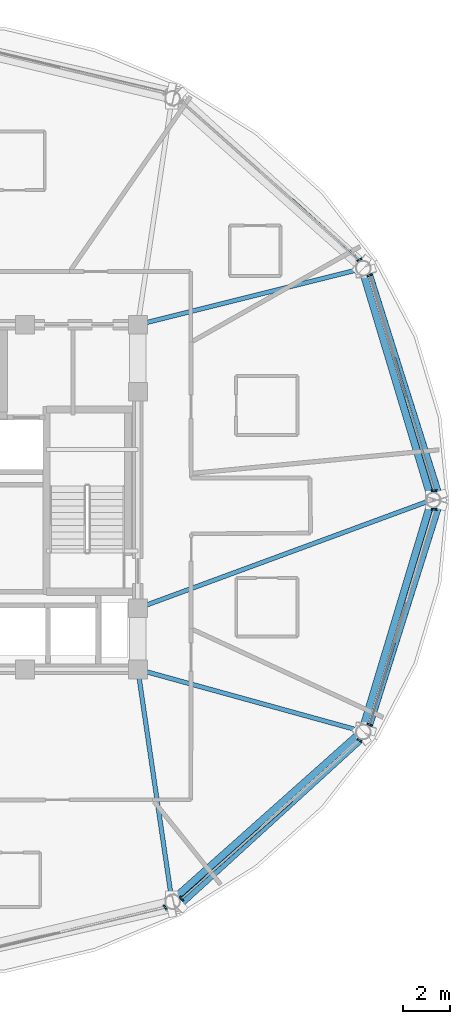
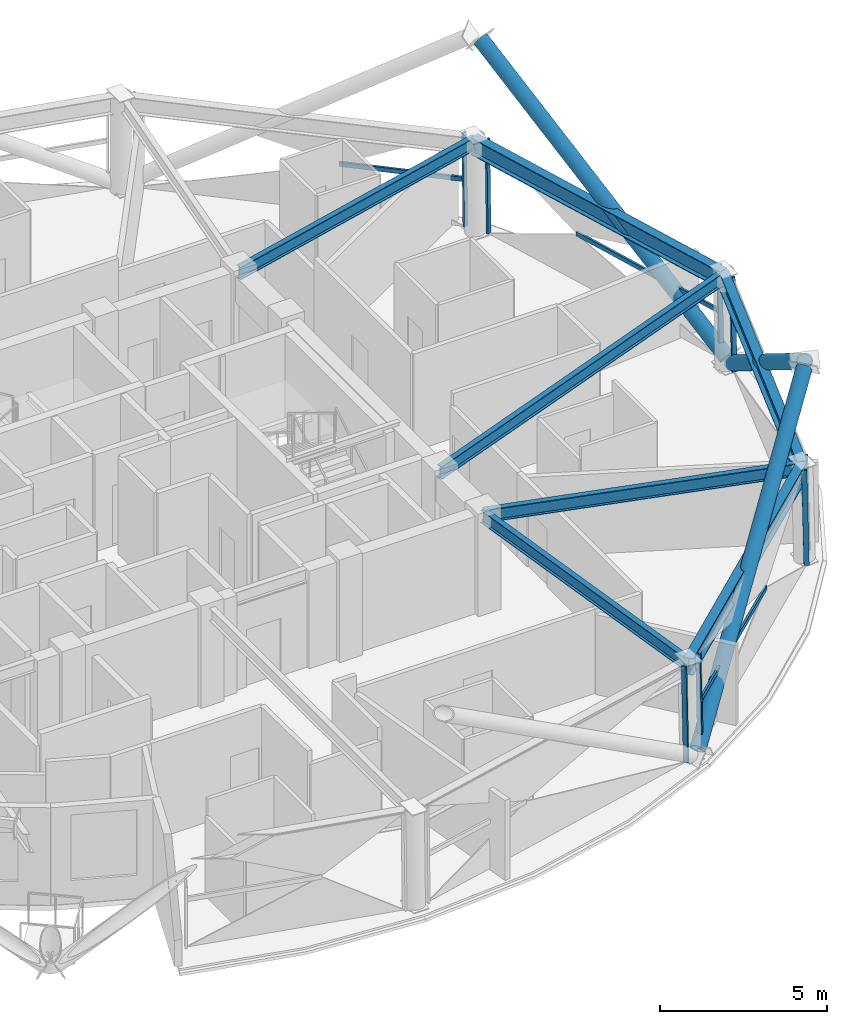
# One storey, part 5 of 18: 15 members, 7 beams, 5 elements without a shape of their own.
"""IFC4 building model written with IfcOpenShell, lengths in metres."""

from ifc_helpers import new_model, si_unit, direction, frame, origin, origin_2d, place, context, subcontext, project, spatial, hollow_rectangle, hollow_circle, i_section, extrude, material, layer, layer_set, material_profile, profile_set, type_object, element, aggregate, save


model = new_model("IFC4")

# Units and contexts
model_context = context("Model", 3, precision=1e-05, world=origin(), true_north=direction((0.0, 1.0)))
body_context = subcontext(model_context, "Body", "Model", "MODEL_VIEW")
ifc_project = project(units=[si_unit("LENGTHUNIT", "METRE"), si_unit("AREAUNIT", "SQUARE_METRE"), si_unit("VOLUMEUNIT", "CUBIC_METRE"), si_unit("PLANEANGLEUNIT", "RADIAN"), si_unit("MASSUNIT", "GRAM", prefix="KILO")], contexts=[model_context])

# Site, building, storey
site_placement = place(None, origin())
site = spatial("IfcSite", under=ifc_project, at=site_placement, CompositionType="ELEMENT")
building_placement = place(site_placement, origin())
building = spatial("IfcBuilding", under=site, at=building_placement, Name="Vantalir Tower", CompositionType="ELEMENT")
storey_placement = place(building_placement, frame((0.0, 0.0, 212.39990234375)))
storey = spatial("IfcBuildingStorey", under=building, at=storey_placement, Name="L53", CompositionType="ELEMENT", Elevation=212.39990234375)

# Beams
ifc_material_1 = material(Name="Steel S355", Category="steel")
ifc_material_profile_1 = material_profile(ifc_material_1, i_section(OverallWidth=0.19189453125, OverallDepth=0.462890625, WebThickness=0.010498046875, FlangeThickness=0.017578125, at=origin_2d()), Name="Steel S355")
ifc_profile_set_1 = profile_set([ifc_material_profile_1], Name="Steel S355")
beam_type_1 = type_object("IfcBeamType", Name="BM-RB-457x191", PredefinedType="BEAM", material=ifc_profile_set_1)
beam_1_placement = place(storey_placement, frame((53.5869140625, 25.0, 3.338134765625), z_axis=(-0.93835063419, -0.345684953846, 0.0), x_axis=(0.345684953846, -0.93835063419, 0.0)))
element("IfcBeam", 1, at=beam_1_placement, inside=storey, type_object=beam_type_1, Name="L53 Radial Floor Beam 01", PredefinedType="BEAM", context=body_context, shape_type="SweptSolid", body=[
    extrude(i_section(OverallWidth=0.19189453125, OverallDepth=0.462890625, WebThickness=0.010498046875, FlangeThickness=0.017578125, at=origin_2d()), origin(), (0.0, 0.0, 1.0), 13.30712890625),
])
beam_2_placement = place(storey_placement, frame((50.6279296875, 34.830078125, 3.338134765625), z_axis=(-0.970186354862, -0.242360138717, 0.0), x_axis=(0.242360138717, -0.970186354862, 0.0)))
element("IfcBeam", 2, at=beam_2_placement, inside=storey, type_object=beam_type_1, Name="L53 Radial Floor Beam 02", PredefinedType="BEAM", context=body_context, shape_type="SweptSolid", body=[
    extrude(i_section(OverallWidth=0.19189453125, OverallDepth=0.462890625, WebThickness=0.010498046875, FlangeThickness=0.017578125, at=origin_2d()), origin(), (0.0, 0.0, 1.0), 9.820556640625),
])
beam_3_placement = place(storey_placement, frame((42.5439453125, 7.972900390625, 3.338134765625), z_axis=(-0.145363786008, 0.989378274331, 0.0), x_axis=(-0.989378274331, -0.145363786008, 0.0)))
element("IfcBeam", 3, at=beam_3_placement, inside=storey, type_object=beam_type_1, Name="L53 Radial Floor Beam 11", PredefinedType="BEAM", context=body_context, shape_type="SweptSolid", body=[
    extrude(i_section(OverallWidth=0.19189453125, OverallDepth=0.462890625, WebThickness=0.010498046875, FlangeThickness=0.017578125, at=origin_2d()), origin(), (0.0, 0.0, 1.0), 9.9326171875),
])
beam_4_placement = place(storey_placement, frame((50.6279296875, 15.1689453125, 3.338134765625), z_axis=(-0.963921624076, 0.266186217974, 0.0), x_axis=(-0.266186217974, -0.963921624076, 0.0)))
element("IfcBeam", 4, at=beam_4_placement, inside=storey, type_object=beam_type_1, Name="L53 Radial Floor Beam 12", PredefinedType="BEAM", context=body_context, shape_type="SweptSolid", body=[
    extrude(i_section(OverallWidth=0.19189453125, OverallDepth=0.462890625, WebThickness=0.010498046875, FlangeThickness=0.017578125, at=origin_2d()), origin(), (0.0, 0.0, 1.0), 9.884521484375),
])
ifc_material_2 = material(Name="Steel S460", Category="steel")
ifc_material_profile_2 = material_profile(ifc_material_2, i_section(OverallWidth=0.306884765625, OverallDepth=0.6201171875, WebThickness=0.01416015625, FlangeThickness=0.023681640625, at=origin_2d()), Name="Steel S460")
ifc_profile_set_2 = profile_set([ifc_material_profile_2], Name="Steel S460")
beam_type_2 = type_object("IfcBeamType", Name="BM-RG-610x305", PredefinedType="USERDEFINED", material=ifc_profile_set_2)
beam_5_placement = place(storey_placement, frame((53.5869140625, 25.0, 3.260009765625), z_axis=(-0.288237950432, 0.957558814868, 0.0), x_axis=(-0.957558814868, -0.288237950432, 0.0)))
element("IfcBeam", 5, at=beam_5_placement, inside=storey, type_object=beam_type_2, Name="L53 Circumferential Ring Girder 01", ObjectType="GIRDER", PredefinedType="USERDEFINED", context=body_context, shape_type="SweptSolid", body=[
    extrude(i_section(OverallWidth=0.306884765625, OverallDepth=0.6201171875, WebThickness=0.01416015625, FlangeThickness=0.023681640625, at=origin_2d()), origin(), (0.0, 0.0, 1.0), 10.265869140625),
])
beam_6_placement = place(storey_placement, frame((42.5439453125, 7.972900390625, 3.260009765625), z_axis=(0.746937436676, 0.66489432671, 0.0), x_axis=(-0.66489432671, 0.746937436676, 0.0)))
element("IfcBeam", 6, at=beam_6_placement, inside=storey, type_object=beam_type_2, Name="L53 Circumferential Ring Girder 11", ObjectType="GIRDER", PredefinedType="USERDEFINED", context=body_context, shape_type="SweptSolid", body=[
    extrude(i_section(OverallWidth=0.306884765625, OverallDepth=0.6201171875, WebThickness=0.01416015625, FlangeThickness=0.023681640625, at=origin_2d()), origin(), (0.0, 0.0, 1.0), 10.82275390625),
])
beam_7_placement = place(storey_placement, frame((50.6279296875, 15.1689453125, 3.260009765625), z_axis=(0.288211696921, 0.957566717131, 0.0), x_axis=(-0.957566717131, 0.288211696921, 0.0)))
element("IfcBeam", 7, at=beam_7_placement, inside=storey, type_object=beam_type_2, Name="L53 Circumferential Ring Girder 12", ObjectType="GIRDER", PredefinedType="USERDEFINED", context=body_context, shape_type="SweptSolid", body=[
    extrude(i_section(OverallWidth=0.306884765625, OverallDepth=0.6201171875, WebThickness=0.01416015625, FlangeThickness=0.023681640625, at=origin_2d()), origin(), (0.0, 0.0, 1.0), 10.2666015625),
])

# Curtain wall, members
ifc_material_3 = material(Name="Champagne-silver PVDF aluminium and double-silver Low-E glass", Category="aluminium")
ifc_layer = layer(ifc_material_3, 0.2099609375)
ifc_layer_set = layer_set([ifc_layer], Name="Champagne-silver PVDF aluminium and double-silver Low-E glass")
curtain_wall_type = type_object("IfcCurtainWallType", Name="CW-DIAMOND-Z3", PredefinedType="USERDEFINED", material=ifc_layer_set)
curtain_wall_1_placement = place(storey_placement, origin())
curtain_wall_1 = element("IfcCurtainWall", 8, at=curtain_wall_1_placement, inside=storey, type_object=curtain_wall_type, Name="L53 Quilted Pyramid-Diamond Curtain Wall S01", ObjectType="UNITISED CURTAIN WALL", PredefinedType="USERDEFINED")
ifc_material_4 = material(Name="Champagne-silver PVDF aluminium 6063-T6", Category="aluminium")
ifc_material_profile_3 = material_profile(ifc_material_4, hollow_rectangle(XDim=0.070068359375, YDim=0.1650390625, WallThickness=0.00390625, at=origin_2d()), Name="Champagne-silver PVDF aluminium 6063-T6")
ifc_profile_set_3 = profile_set([ifc_material_profile_3], Name="Champagne-silver PVDF aluminium 6063-T6")
member_type_1 = type_object("IfcMemberType", Name="CWM-165x70", PredefinedType="MULLION", material=ifc_profile_set_3)
member_1_placement = place(storey_placement, frame((53.73291015625, 25.39306640625, 0.045166015625), z_axis=(-0.021252389867, 0.0, 0.999774142457), x_axis=(0.0, -1.0, 0.0)))
member_1 = element("IfcMember", 9, at=member_1_placement, type_object=member_type_1, Name="CW-L53-S01 Mullion 1", PredefinedType="MULLION", context=body_context, shape_type="SweptSolid", body=[
    extrude(hollow_rectangle(XDim=0.070068359375, YDim=0.1650390625, WallThickness=0.00390625, at=origin_2d()), origin(), (0.0, 0.0, 1.0), 3.480712890625),
])
member_2_placement = place(storey_placement, frame((50.97509765625, 34.56494140625, 0.045166015625), z_axis=(-0.018727459169, -0.009468940029, 0.999779786477), x_axis=(0.451219942999, -0.892412776153, 0.0)))
member_2 = element("IfcMember", 10, at=member_2_placement, type_object=member_type_1, Name="CW-L53-S01 Mullion 2", PredefinedType="MULLION", context=body_context, shape_type="SweptSolid", body=[
    extrude(hollow_rectangle(XDim=0.070068359375, YDim=0.1650390625, WallThickness=0.00390625, at=origin_2d()), origin(), (0.0, 0.0, 1.0), 3.480712890625),
])

# Curtain wall, member
curtain_wall_2_placement = place(storey_placement, origin())
curtain_wall_2 = element("IfcCurtainWall", 11, at=curtain_wall_2_placement, inside=storey, type_object=curtain_wall_type, Name="L53 Quilted Pyramid-Diamond Curtain Wall S02", ObjectType="UNITISED CURTAIN WALL", PredefinedType="USERDEFINED")
member_3_placement = place(storey_placement, frame((50.551025390625, 35.23095703125, 0.045166015625), z_axis=(-0.018657343334, -0.009468952444, 0.99978109728), x_axis=(0.452569338671, -0.891729215455, 0.0)))
member_3 = element("IfcMember", 12, at=member_3_placement, type_object=member_type_1, Name="CW-L53-S02 Mullion 1", PredefinedType="MULLION", context=body_context, shape_type="SweptSolid", body=[
    extrude(hollow_rectangle(XDim=0.070068359375, YDim=0.1650390625, WallThickness=0.00390625, at=origin_2d()), origin(), (0.0, 0.0, 1.0), 3.480712890625),
])

curtain_wall_3_placement = place(storey_placement, origin())
curtain_wall_3 = element("IfcCurtainWall", 13, at=curtain_wall_3_placement, inside=storey, type_object=curtain_wall_type, Name="L53 Quilted Pyramid-Diamond Curtain Wall S10", ObjectType="UNITISED CURTAIN WALL", PredefinedType="USERDEFINED")
member_4_placement = place(storey_placement, frame((42.277099609375, 7.656005859375, 0.045166015625), z_axis=(-0.010661581193, 0.016693791605, 0.999803804758), x_axis=(-0.842785503747, -0.538249565419, 0.0)))
member_4 = element("IfcMember", 14, at=member_4_placement, type_object=member_type_1, Name="CW-L53-S10 Mullion 2", PredefinedType="MULLION", context=body_context, shape_type="SweptSolid", body=[
    extrude(hollow_rectangle(XDim=0.070068359375, YDim=0.1650390625, WallThickness=0.00390625, at=origin_2d()), origin(), (0.0, 0.0, 1.0), 3.480712890625),
])
aggregate(curtain_wall_3, [member_4])

# Curtain wall, members
curtain_wall_4_placement = place(storey_placement, origin())
curtain_wall_4 = element("IfcCurtainWall", 15, at=curtain_wall_4_placement, inside=storey, type_object=curtain_wall_type, Name="L53 Quilted Pyramid-Diamond Curtain Wall S11", ObjectType="UNITISED CURTAIN WALL", PredefinedType="USERDEFINED")
member_5_placement = place(storey_placement, frame((42.98193359375, 8.02392578125, 0.045166015625), z_axis=(-0.010591447106, 0.016693804048, 0.999804549977), x_axis=(-0.844391149061, -0.535727157598, 0.0)))
member_5 = element("IfcMember", 16, at=member_5_placement, type_object=member_type_1, Name="CW-L53-S11 Mullion 1", PredefinedType="MULLION", context=body_context, shape_type="SweptSolid", body=[
    extrude(hollow_rectangle(XDim=0.070068359375, YDim=0.1650390625, WallThickness=0.00390625, at=origin_2d()), origin(), (0.0, 0.0, 1.0), 3.480712890625),
])
member_6_placement = place(storey_placement, frame((50.551025390625, 14.76806640625, 0.045166015625), z_axis=(-0.018657343334, 0.009468952444, 0.99978109728), x_axis=(-0.452569338671, -0.891729215455, 0.0)))
member_6 = element("IfcMember", 17, at=member_6_placement, type_object=member_type_1, Name="CW-L53-S11 Mullion 2", PredefinedType="MULLION", context=body_context, shape_type="SweptSolid", body=[
    extrude(hollow_rectangle(XDim=0.070068359375, YDim=0.1650390625, WallThickness=0.00390625, at=origin_2d()), origin(), (0.0, 0.0, 1.0), 3.480712890625),
])

curtain_wall_5_placement = place(storey_placement, origin())
curtain_wall_5 = element("IfcCurtainWall", 18, at=curtain_wall_5_placement, inside=storey, type_object=curtain_wall_type, Name="L53 Quilted Pyramid-Diamond Curtain Wall S12", ObjectType="UNITISED CURTAIN WALL", PredefinedType="USERDEFINED")
member_7_placement = place(storey_placement, frame((50.97509765625, 15.43408203125, 0.045166015625), z_axis=(-0.018727459169, 0.009468940029, 0.999779786477), x_axis=(-0.451219942999, -0.892412776153, 0.0)))
member_7 = element("IfcMember", 19, at=member_7_placement, type_object=member_type_1, Name="CW-L53-S12 Mullion 1", PredefinedType="MULLION", context=body_context, shape_type="SweptSolid", body=[
    extrude(hollow_rectangle(XDim=0.070068359375, YDim=0.1650390625, WallThickness=0.00390625, at=origin_2d()), origin(), (0.0, 0.0, 1.0), 3.480712890625),
])
member_8_placement = place(storey_placement, frame((53.73291015625, 24.60693359375, 0.045166015625), z_axis=(-0.021252389867, 0.0, 0.999774142457), x_axis=(0.0, -1.0, 0.0)))
member_8 = element("IfcMember", 20, at=member_8_placement, type_object=member_type_1, Name="CW-L53-S12 Mullion 2", PredefinedType="MULLION", context=body_context, shape_type="SweptSolid", body=[
    extrude(hollow_rectangle(XDim=0.070068359375, YDim=0.1650390625, WallThickness=0.00390625, at=origin_2d()), origin(), (0.0, 0.0, 1.0), 3.480712890625),
])

# Member
ifc_material_profile_4 = material_profile(ifc_material_4, hollow_rectangle(XDim=0.074951171875, YDim=0.159912109375, WallThickness=0.00390625, at=origin_2d()), Name="Champagne-silver PVDF aluminium 6063-T6")
ifc_profile_set_4 = profile_set([ifc_material_profile_4], Name="Champagne-silver PVDF aluminium 6063-T6")
member_type_2 = type_object("IfcMemberType", Name="CWT-160x75", PredefinedType="USERDEFINED", material=ifc_profile_set_4)
member_9_placement = place(storey_placement, frame((53.696044921875, 25.39306640625, 1.78515625), z_axis=(-0.284130402696, 0.958785645629, 0.0), x_axis=(-0.958785645629, -0.284130402696, 0.0)))
member_9 = element("IfcMember", 21, at=member_9_placement, type_object=member_type_2, Name="CW-L53-S01 Pyramid Fold Ridge Transom", ObjectType="TRANSOM", PredefinedType="USERDEFINED", context=body_context, shape_type="SweptSolid", body=[
    extrude(hollow_rectangle(XDim=0.074951171875, YDim=0.159912109375, WallThickness=0.00390625, at=origin_2d()), origin(), (0.0, 0.0, 1.0), 5.92724609375),
])

aggregate(curtain_wall_1, [member_1, member_2, member_9])

member_10_placement = place(storey_placement, frame((50.51806640625, 35.214111328125, 1.78515625), z_axis=(-0.742370760649, 0.669989293745, 0.0), x_axis=(-0.669989293745, -0.742370760649, 0.0)))
member_10 = element("IfcMember", 22, at=member_10_placement, type_object=member_type_2, Name="CW-L53-S02 Pyramid Fold Ridge Transom", ObjectType="TRANSOM", PredefinedType="USERDEFINED", context=body_context, shape_type="SweptSolid", body=[
    extrude(hollow_rectangle(XDim=0.074951171875, YDim=0.159912109375, WallThickness=0.00390625, at=origin_2d()), origin(), (0.0, 0.0, 1.0), 3.841796875),
])

aggregate(curtain_wall_2, [member_3, member_10])

member_11_placement = place(storey_placement, frame((42.964111328125, 8.052978515625, 1.78515625), z_axis=(0.749031451773, 0.662534440052, 0.0), x_axis=(-0.662534440052, 0.749031451773, 0.0)))
member_11 = element("IfcMember", 23, at=member_11_placement, type_object=member_type_2, Name="CW-L53-S11 Pyramid Fold Ridge Transom", ObjectType="TRANSOM", PredefinedType="USERDEFINED", context=body_context, shape_type="SweptSolid", body=[
    extrude(hollow_rectangle(XDim=0.074951171875, YDim=0.159912109375, WallThickness=0.00390625, at=origin_2d()), origin(), (0.0, 0.0, 1.0), 6.27734375),
])

aggregate(curtain_wall_4, [member_5, member_6, member_11])

member_12_placement = place(storey_placement, frame((50.943115234375, 15.449951171875, 1.78515625), z_axis=(0.294133059099, 0.955764481211, 0.0), x_axis=(-0.955764481211, 0.294133059099, 0.0)))
member_12 = element("IfcMember", 24, at=member_12_placement, type_object=member_type_2, Name="CW-L53-S12 Pyramid Fold Ridge Transom", ObjectType="TRANSOM", PredefinedType="USERDEFINED", context=body_context, shape_type="SweptSolid", body=[
    extrude(hollow_rectangle(XDim=0.074951171875, YDim=0.159912109375, WallThickness=0.00390625, at=origin_2d()), origin(), (0.0, 0.0, 1.0), 3.6337890625),
])

aggregate(curtain_wall_5, [member_7, member_8, member_12])

# Members
ifc_material_profile_5 = material_profile(ifc_material_2, hollow_circle(Radius=0.25, WallThickness=0.031982421875, at=origin_2d()), Name="Steel S460")
ifc_profile_set_5 = profile_set([ifc_material_profile_5], Name="Steel S460")
member_type_3 = type_object("IfcMemberType", Name="MEM-DB-500x32", PredefinedType="BRACE", material=ifc_profile_set_5)
for number, where, z_axis, x_axis, name in (
    (25, (53.7958984375, 25.173095703125, 0.205078125), (-0.247689284708, 0.784834437177, 0.568053628156), (-0.953636093044, -0.300962127257, 0.0), "L53 Perimeter S460 Diagrid Brace R01L"),
    (26, (53.7958984375, 24.826904296875, 0.205078125), (-0.247689284708, -0.784834437177, 0.568053628156), (0.953636093044, -0.300962127257, 0.0), "L53 Perimeter S460 Diagrid Brace R01R"),
):
    element("IfcMember", number, at=place(storey_placement, frame(where, z_axis=z_axis, x_axis=x_axis)), inside=storey, type_object=member_type_3, Name=name, PredefinedType="BRACE", context=body_context, shape_type="SweptSolid", body=[
        extrude(hollow_circle(Radius=0.25, WallThickness=0.031982421875, at=origin_2d()), origin(), (0.0, 0.0, 1.0), 12.164306640625),
    ])
member_13_placement = place(storey_placement, frame((42.81201171875, 7.875, 0.201171875), z_axis=(0.617172057275, 0.563854372093, 0.548786751653), x_axis=(-0.674497304434, 0.738277309899, 0.0)))
element("IfcMember", 27, at=member_13_placement, inside=storey, type_object=member_type_3, Name="L53 Perimeter S460 Diagrid Brace R31L", PredefinedType="BRACE", context=body_context, shape_type="SweptSolid", body=[
    extrude(hollow_circle(Radius=0.25, WallThickness=0.031982421875, at=origin_2d()), origin(), (0.0, 0.0, 1.0), 12.60595703125),
])

save(model, "model.ifc")
